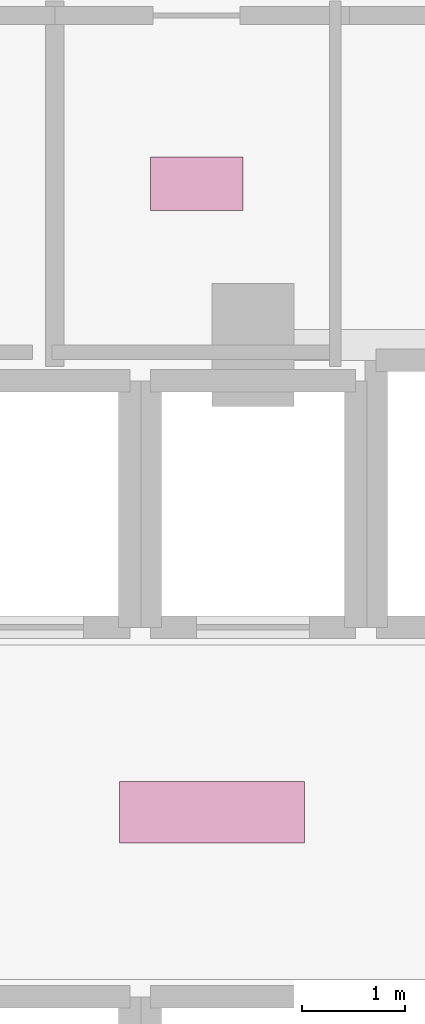
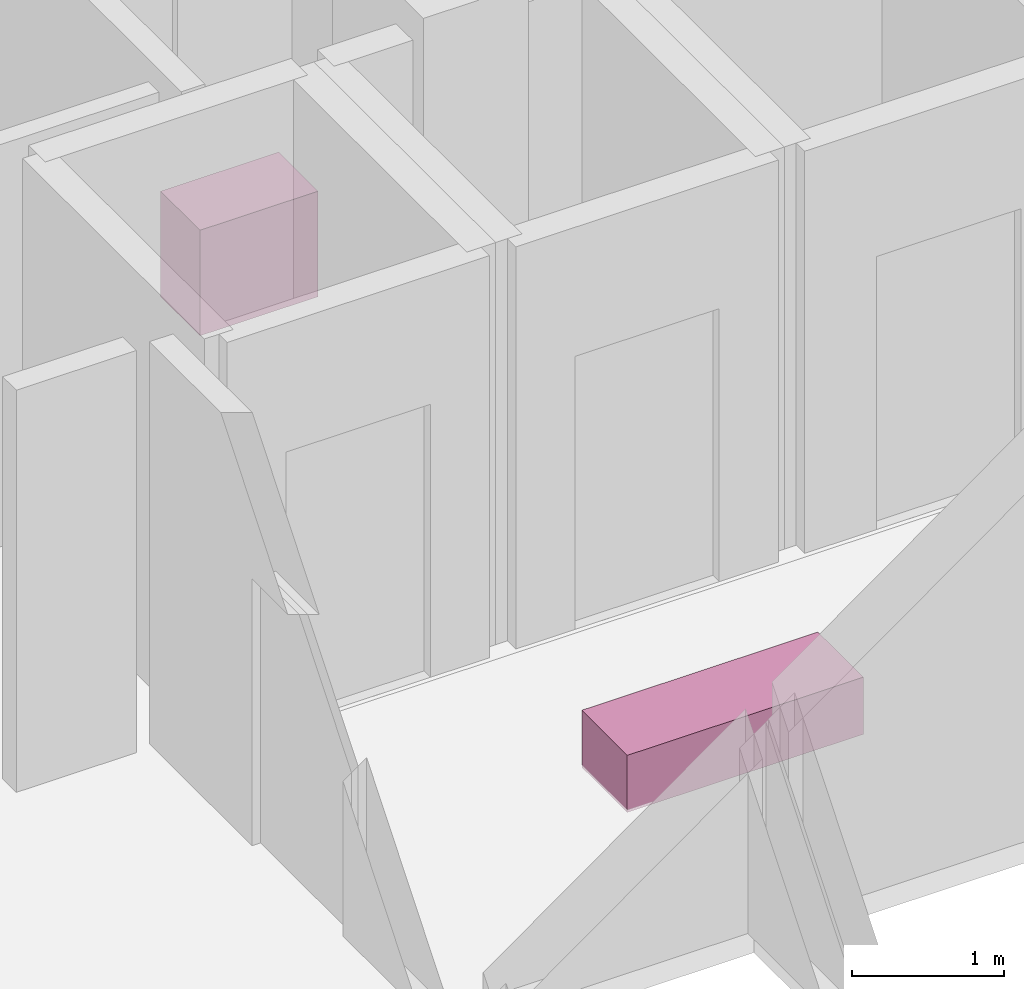
# One storey, part 29 of 29: 2 furnishings.
"""IFC4 building model written with IfcOpenShell, lengths in metres."""

from ifc_helpers import new_model, si_unit, direction, frame, origin, origin_2d, place, context, subcontext, project, spatial, rectangle, extrude, material, type_object, element, save


model = new_model("IFC4")

# Units and contexts
model_context = context("Model", 3, precision=1e-05, world=origin(), true_north=direction((0.0, 1.0)))
body_context = subcontext(model_context, "Body", "Model", "MODEL_VIEW")
ifc_project = project(units=[si_unit("LENGTHUNIT", "METRE"), si_unit("AREAUNIT", "SQUARE_METRE"), si_unit("VOLUMEUNIT", "CUBIC_METRE"), si_unit("PLANEANGLEUNIT", "RADIAN"), si_unit("MASSUNIT", "GRAM", prefix="KILO")], contexts=[model_context])

# Site, building, storey
site_placement = place(None, origin())
site = spatial("IfcSite", under=ifc_project, at=site_placement, CompositionType="ELEMENT")
building_placement = place(site_placement, origin())
building = spatial("IfcBuilding", under=site, at=building_placement, Name="Vorneva Point Tower", CompositionType="ELEMENT")
storey_placement = place(building_placement, frame((0.0, 0.0, 117.300048828125)))
storey = spatial("IfcBuildingStorey", under=building, at=storey_placement, Name="L31", CompositionType="ELEMENT", Elevation=117.300048828125)

# Furnishings
ifc_material_1 = material(Name="Engineered oak fire-rated door leaf", Category="wood")
furniture_type_1 = type_object("IfcFurnitureType", Name="FUR-BNC-1800", AssemblyPlace="NOTDEFINED", PredefinedType="NOTDEFINED", material=ifc_material_1)
furnishing_1_placement = place(storey_placement, frame((35.0, 26.0, -0.005126953125), z_axis=(0.0, 0.0, 1.0), x_axis=(1.0, 0.0, 0.0)))
element("IfcFurnishingElement", 1, at=furnishing_1_placement, inside=storey, type_object=furniture_type_1, Name="L31 Lift Lobby Seating Bench", ObjectType="L31 Lift Lobby Seating Bench", context=body_context, shape_type="SweptSolid", body=[
    extrude(rectangle(XDim=1.800048828125, YDim=0.60009765625, at=origin_2d()), origin(), (0.0, 0.0, 1.0), 0.4599609375),
])
ifc_material_2 = material(Name="Vitreous china and granite top", Category="masonry")
furniture_type_2 = type_object("IfcFurnitureType", Name="FUR-VAN-900", AssemblyPlace="NOTDEFINED", PredefinedType="NOTDEFINED", material=ifc_material_2)
furnishing_2_placement = place(storey_placement, frame((34.85009765625, 32.1201171875, -0.005126953125), z_axis=(0.0, 0.0, 1.0), x_axis=(1.0, 0.0, 0.0)))
element("IfcFurnishingElement", 2, at=furnishing_2_placement, inside=storey, type_object=furniture_type_2, Name="L31 Public Male WC Vanity Unit", ObjectType="L31 Public Male WC Vanity Unit", context=body_context, shape_type="SweptSolid", body=[
    extrude(rectangle(XDim=0.89990234375, YDim=0.52001953125, at=origin_2d()), origin(), (0.0, 0.0, 1.0), 0.85009765625),
])

save(model, "model.ifc")
